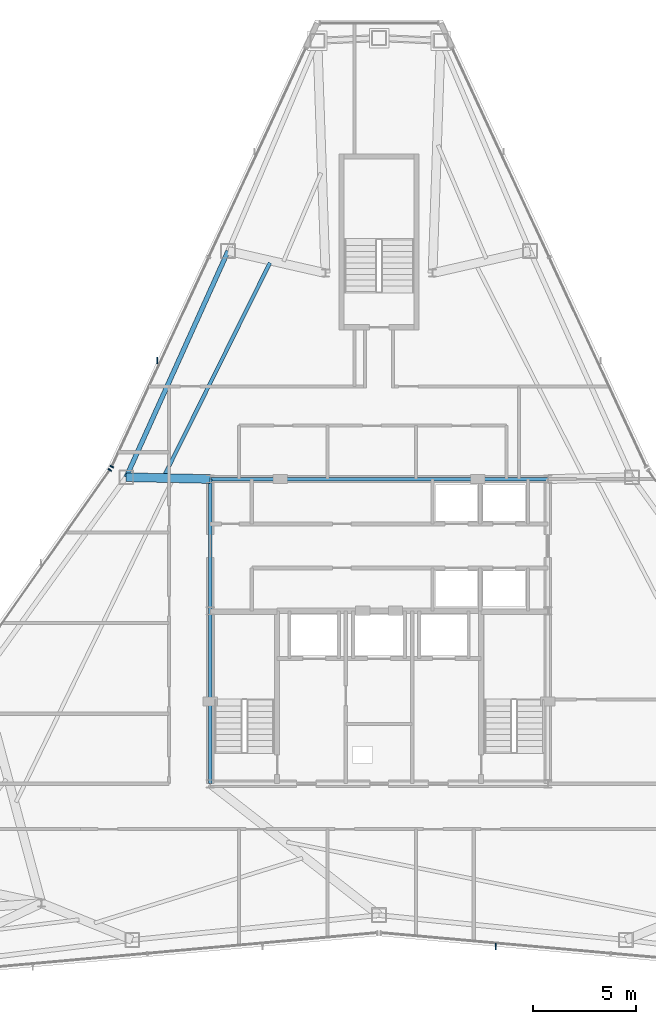
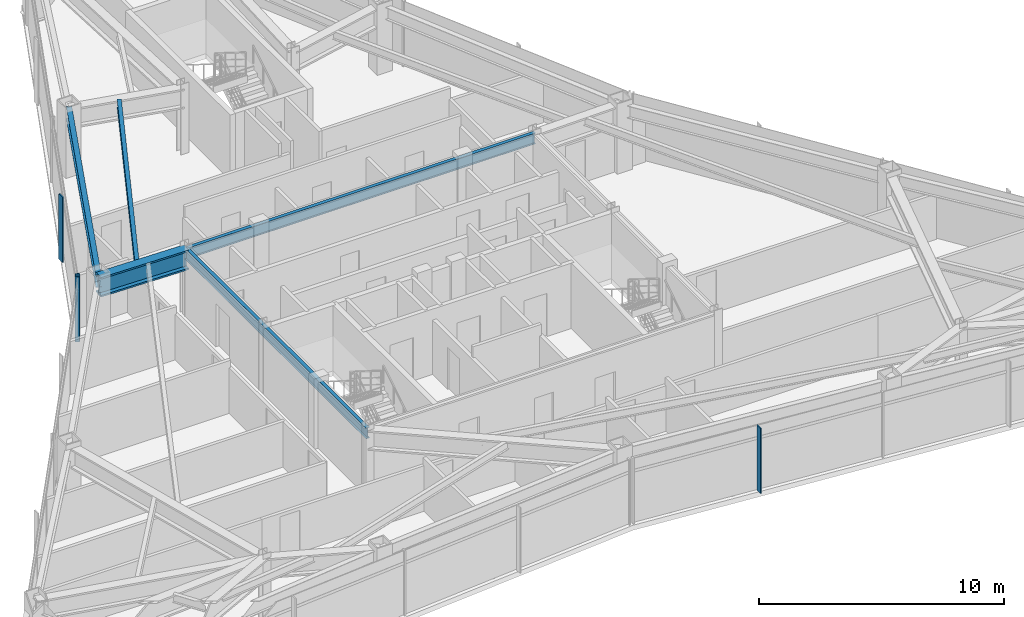
# One storey, part 5 of 12: 5 beams, 4 members, 3 elements without a shape of their own.
"""IFC4 building model written with IfcOpenShell, lengths in metres."""

import ifcopenshell
import ifcopenshell.guid

model = None  # the IFC model being written
_history = None  # IfcOwnerHistory: only IFC2X3 demands one
_inside = {}  # id of a spatial element -> (the spatial element, [elements in it])
_under = {}  # id of a project, library or spatial element -> (it, [spatial elements below it])
_declared = {}  # id of a project -> (the project, [libraries it declares])
_typed = {}  # id of a type object -> (the type object, [elements of that type])
_made_of = {}  # id of a material, layer set ... -> (it, [elements and type objects made of it])


def new_model(schema):
    """Start an empty IFC model of exactly this schema.

    Asked for "IFC4X3", IfcOpenShell would pick the latest addendum, in which some entities
    have other attributes; the version numbers below select the first issue.
    IFC2X3 requires an IfcOwnerHistory on every rooted entity: one is made here for all.
    """
    global model, _history
    if schema == "IFC4X3":
        model = ifcopenshell.file(schema_version=(4, 3, 0, 0))
    else:
        model = ifcopenshell.file(schema=schema)
    _inside.clear()
    _under.clear()
    _declared.clear()
    _typed.clear()
    _made_of.clear()
    _history = None
    if model.schema == "IFC2X3":
        org = make("IfcOrganization", Name="unknown")
        user = make(
            "IfcPersonAndOrganization",
            ThePerson=make("IfcPerson", FamilyName="unknown"),
            TheOrganization=org,
        )
        app = make(
            "IfcApplication",
            ApplicationDeveloper=org,
            Version="unknown",
            ApplicationFullName="unknown",
            ApplicationIdentifier="unknown",
        )
        _history = make(
            "IfcOwnerHistory",
            OwningUser=user,
            OwningApplication=app,
            ChangeAction="ADDED",
            CreationDate=0,
        )
    return model


def make(cls, **values):
    """One entity of the class cls with the attributes given. An attribute that is None is left unset."""
    return model.create_entity(
        cls, **{name: value for name, value in values.items() if value is not None}
    )


def rooted(cls, **values):
    """An entity with a GlobalId (a new one), such as an element, a storey or a relation."""
    return make(cls, GlobalId=ifcopenshell.guid.new(), OwnerHistory=_history, **values)


def si_unit(unit_type, name, prefix=None):
    """IfcSIUnit, for example si_unit("LENGTHUNIT", "METRE", prefix="MILLI")."""
    return make("IfcSIUnit", UnitType=unit_type, Prefix=prefix, Name=name)


def assignment(units):
    """IfcUnitAssignment: the units of a project."""
    return None if units is None else make("IfcUnitAssignment", Units=units)


def point(xyz):
    """IfcCartesianPoint."""
    return None if xyz is None else make("IfcCartesianPoint", Coordinates=xyz)


def direction(xyz):
    """IfcDirection."""
    return None if xyz is None else make("IfcDirection", DirectionRatios=xyz)


def frame(location, z_axis=None, x_axis=None):
    """IfcAxis2Placement3D, a coordinate frame: its origin and axes. An axis left out is left unset."""
    return make(
        "IfcAxis2Placement3D",
        Location=point(location),
        Axis=direction(z_axis),
        RefDirection=direction(x_axis),
    )


def frame_2d(location, x_axis=None):
    """IfcAxis2Placement2D, a coordinate frame in the plane: its origin and x axis."""
    return make(
        "IfcAxis2Placement2D", Location=point(location), RefDirection=direction(x_axis)
    )


def origin():
    """The frame at (0, 0, 0) with its axes left unset."""
    return frame((0.0, 0.0, 0.0))


def origin_2d():
    """The frame at (0, 0) in the plane with its x axis left unset."""
    return frame_2d((0.0, 0.0))


def place(relative_to, where):
    """IfcLocalPlacement: puts the frame where relative to a parent placement (None: the world)."""
    return make(
        "IfcLocalPlacement", PlacementRelTo=relative_to, RelativePlacement=where
    )


def context(
    kind, dimensions, precision=None, world=None, true_north=None, identifier=None
):
    """IfcGeometricRepresentationContext, for example the 3D "Model" context."""
    return make(
        "IfcGeometricRepresentationContext",
        ContextIdentifier=identifier,
        ContextType=kind,
        CoordinateSpaceDimension=dimensions,
        Precision=precision,
        WorldCoordinateSystem=world,
        TrueNorth=true_north,
    )


def subcontext(parent, identifier, kind, view, scale=None):
    """IfcGeometricRepresentationSubContext, for example "Body" below "Model"."""
    return make(
        "IfcGeometricRepresentationSubContext",
        ContextIdentifier=identifier,
        ContextType=kind,
        ParentContext=parent,
        TargetScale=scale,
        TargetView=view,
    )


def project(units=None, contexts=None):
    """IfcProject with its units and contexts."""
    return rooted(
        "IfcProject",
        Name="project",
        RepresentationContexts=contexts,
        UnitsInContext=assignment(units),
    )


def spatial(cls, under=None, at=None, **own):
    """A site, building, storey or space (cls), placed at a placement, below another one or the project."""
    s = rooted(cls, ObjectPlacement=at, **own)
    if under is not None:
        _under.setdefault(under.id(), (under, []))[1].append(s)
    return s


def profile(cls, at=None, kind="AREA", **sizes):
    """A parametric profile (cls). Its sizes go by their IFC names, for example OverallWidth=200.0."""
    return make(cls, ProfileType=kind, Position=at, **sizes)


def rectangle(**sizes):
    """IfcRectangleProfileDef."""
    return profile("IfcRectangleProfileDef", **sizes)


def i_section(**sizes):
    """IfcIShapeProfileDef."""
    return profile("IfcIShapeProfileDef", **sizes)


def extrude(swept, where, along, depth):
    """IfcExtrudedAreaSolid: the profile swept, set in the frame where, extruded along a direction by depth."""
    return make(
        "IfcExtrudedAreaSolid",
        SweptArea=swept,
        Position=where,
        ExtrudedDirection=direction(along),
        Depth=depth,
    )


def shape(context_of_items, identifier, shape_type, items):
    """IfcShapeRepresentation: the items that make up one representation, for example the "Body"."""
    return make(
        "IfcShapeRepresentation",
        ContextOfItems=context_of_items,
        RepresentationIdentifier=identifier,
        RepresentationType=shape_type,
        Items=items,
    )


def source(mapping_origin, context_of_items, identifier, shape_type, items):
    """IfcRepresentationMap: a shape defined once, which mapped items show again and again."""
    return make(
        "IfcRepresentationMap",
        MappingOrigin=mapping_origin,
        MappedRepresentation=shape(context_of_items, identifier, shape_type, items),
    )


def transform(
    local_origin,
    x_axis=None,
    y_axis=None,
    z_axis=None,
    scale=None,
    scale2=None,
    scale3=None,
    uniform=True,
):
    """IfcCartesianTransformationOperator3D, or its non-uniform kind. x_axis, y_axis, z_axis: its Axis1, 2, 3."""
    if uniform:
        return make(
            "IfcCartesianTransformationOperator3D",
            Axis1=direction(x_axis),
            Axis2=direction(y_axis),
            LocalOrigin=point(local_origin),
            Scale=scale,
            Axis3=direction(z_axis),
        )
    return make(
        "IfcCartesianTransformationOperator3DnonUniform",
        Axis1=direction(x_axis),
        Axis2=direction(y_axis),
        LocalOrigin=point(local_origin),
        Scale=scale,
        Axis3=direction(z_axis),
        Scale2=scale2,
        Scale3=scale3,
    )


def mapped(mapping_source, mapping_target):
    """IfcMappedItem: shows the shape of a source again, moved by a transform."""
    return make(
        "IfcMappedItem", MappingSource=mapping_source, MappingTarget=mapping_target
    )


def material(Name=None, Category=None):
    """IfcMaterial."""
    return make("IfcMaterial", Name=Name, Category=Category)


def layer(
    of_material, thickness, ventilated=None, Name=None, Category=None, Priority=None
):
    """IfcMaterialLayer: one layer of a wall or slab, of a material (None: an air gap)."""
    return make(
        "IfcMaterialLayer",
        Material=of_material,
        LayerThickness=thickness,
        IsVentilated=ventilated,
        Name=Name,
        Category=Category,
        Priority=Priority,
    )


def layer_set(layers, Name=None):
    """IfcMaterialLayerSet."""
    return make("IfcMaterialLayerSet", MaterialLayers=layers, LayerSetName=Name)


def material_profile(
    of_material, cross_section, Name=None, Category=None, Priority=None
):
    """IfcMaterialProfile: a cross section and its material."""
    return make(
        "IfcMaterialProfile",
        Name=Name,
        Material=of_material,
        Profile=cross_section,
        Priority=Priority,
        Category=Category,
    )


def profile_set(profiles, Name=None, composite=None):
    """IfcMaterialProfileSet."""
    return make(
        "IfcMaterialProfileSet",
        Name=Name,
        MaterialProfiles=profiles,
        CompositeProfile=composite,
    )


def made_of(thing, what):
    """Note that an element or type object is made of a material, layer set ...; save() writes the relation."""
    if what is not None:
        _made_of.setdefault(what.id(), (what, []))[1].append(thing)
    return thing


def type_object(cls, material=None, **own):
    """A type object (cls), such as IfcWallType, which elements share."""
    return made_of(rooted(cls, **own), material)


def type_shapes(of_type, sources):
    """Give a type object the sources (RepresentationMaps) that its elements show as mapped items."""
    of_type.RepresentationMaps = sources


def element(
    cls,
    number,
    at=None,
    inside=None,
    cuts=None,
    type_object=None,
    material=None,
    context=None,
    identifier="Body",
    shape_type=None,
    held_by="IfcProductDefinitionShape",
    body=None,
    shapes=None,
    **own,
):
    """One element of the class cls, such as IfcWall. Its Tag is "e" and its number.

    at: its placement. inside: the storey or other place that contains it. cuts: it is an
    opening in that element (IfcRelVoidsElement). A single representation is given by context,
    identifier, shape_type and body (its items); several are given by shapes. held_by: the class
    of the entity that holds the representations. save() writes the other relations.
    """
    e = rooted(cls, Tag="e%d" % number, ObjectPlacement=at, **own)
    if body is not None:
        shapes = [shape(context, identifier, shape_type, body)]
    if shapes is not None:
        e.Representation = make(held_by, Representations=shapes)
    if inside is not None:
        _inside.setdefault(inside.id(), (inside, []))[1].append(e)
    if cuts is not None:
        rooted(
            "IfcRelVoidsElement", RelatingBuildingElement=cuts, RelatedOpeningElement=e
        )
    if type_object is not None:
        _typed.setdefault(type_object.id(), (type_object, []))[1].append(e)
    return made_of(e, material)


def aggregate(whole, parts):
    """IfcRelAggregates: a whole, such as a stair, and the parts it consists of."""
    return rooted("IfcRelAggregates", RelatingObject=whole, RelatedObjects=parts)


def save(model, path):
    """Write the relations noted so far, then the file.

    IfcRelAggregates (storeys below a building ...), IfcRelContainedInSpatialStructure (elements
    in a storey), IfcRelDefinesByType, IfcRelAssociatesMaterial and IfcRelDeclares: one each for
    every whole, place, type object, material and project.
    """
    for whole, parts in _under.values():
        aggregate(whole, parts)
    for where, things in _inside.values():
        rooted(
            "IfcRelContainedInSpatialStructure",
            RelatedElements=things,
            RelatingStructure=where,
        )
    for kind, things in _typed.values():
        rooted("IfcRelDefinesByType", RelatedObjects=things, RelatingType=kind)
    for what, things in _made_of.values():
        rooted("IfcRelAssociatesMaterial", RelatedObjects=things, RelatingMaterial=what)
    for by, libraries in _declared.values():
        rooted("IfcRelDeclares", RelatingContext=by, RelatedDefinitions=libraries)
    model.write(path)


model = new_model("IFC4")

# Units and contexts
model_context = context("Model", 3, precision=1e-05, world=origin(), true_north=direction((0.0, 1.0)))
body_context = subcontext(model_context, "Body", "Model", "MODEL_VIEW")
ifc_project = project(units=[si_unit("LENGTHUNIT", "METRE"), si_unit("AREAUNIT", "SQUARE_METRE"), si_unit("VOLUMEUNIT", "CUBIC_METRE"), si_unit("PLANEANGLEUNIT", "RADIAN"), si_unit("MASSUNIT", "GRAM", prefix="KILO")], contexts=[model_context])

# Site, building, storey
site_placement = place(None, origin())
site = spatial("IfcSite", under=ifc_project, at=site_placement, CompositionType="ELEMENT")
building_placement = place(site_placement, origin())
building = spatial("IfcBuilding", under=site, at=building_placement, Name="Varakhsha Concourse Tower", CompositionType="ELEMENT")
storey_placement = place(building_placement, frame((0.0, 0.0, 239.89990234375)))
storey = spatial("IfcBuildingStorey", under=building, at=storey_placement, Name="L68", CompositionType="ELEMENT", Elevation=239.89990234375)

# Beams
ifc_material_1 = material(Name="Structural Steel ASTM A992 Grade 50", Category="steel")
ifc_material_profile_1 = material_profile(ifc_material_1, i_section(OverallWidth=0.177978515625, OverallDepth=0.406982421875, WebThickness=0.008056640625, FlangeThickness=0.012939453125, at=origin_2d()), Name="W16X40")
ifc_profile_set_1 = profile_set([ifc_material_profile_1], Name="Structural Steel ASTM A992 Grade 50")
beam_type_1 = type_object("IfcBeamType", Name="BM-JST-W16X40", PredefinedType="JOIST", material=ifc_profile_set_1)
beam_1_placement = place(storey_placement, frame((34.70166015625, 41.70458984375, 3.046630859375), z_axis=(-0.444542112337, -0.895757952998, 0.0), x_axis=(0.895757952998, -0.444542112337, 0.0)))
element("IfcBeam", 1, at=beam_1_placement, inside=storey, type_object=beam_type_1, Name="BM-TJST-L68-04", PredefinedType="JOIST", context=body_context, shape_type="SweptSolid", body=[
    extrude(i_section(OverallWidth=0.177978515625, OverallDepth=0.406982421875, WebThickness=0.008056640625, FlangeThickness=0.012939453125, at=origin_2d()), origin(), (0.0, 0.0, 1.0), 11.56005859375),
])
ifc_material_profile_2 = material_profile(ifc_material_1, i_section(OverallWidth=0.1669921875, OverallDepth=0.534912109375, WebThickness=0.010009765625, FlangeThickness=0.01708984375, at=origin_2d()), Name="W21X57")
ifc_profile_set_2 = profile_set([ifc_material_profile_2], Name="Structural Steel ASTM A992 Grade 50")
beam_type_2 = type_object("IfcBeamType", Name="BM-RAD-W21X57", PredefinedType="BEAM", material=ifc_profile_set_2)
beam_2_placement = place(storey_placement, frame((31.800048828125, 31.199951171875, 2.982666015625), z_axis=(1.0, 0.0, 0.0), x_axis=(0.0, 1.0, 0.0)))
element("IfcBeam", 2, at=beam_2_placement, inside=storey, type_object=beam_type_2, Name="BM-TCORE-L68-CN", PredefinedType="BEAM", context=body_context, shape_type="SweptSolid", body=[
    extrude(i_section(OverallWidth=0.1669921875, OverallDepth=0.534912109375, WebThickness=0.010009765625, FlangeThickness=0.01708984375, at=origin_2d()), origin(), (0.0, 0.0, 1.0), 16.39990234375),
])
beam_3_placement = place(storey_placement, frame((31.800048828125, 16.39990234375, 2.982666015625), z_axis=(0.0, 1.0, 0.0), x_axis=(-1.0, 0.0, 0.0)))
element("IfcBeam", 3, at=beam_3_placement, inside=storey, type_object=beam_type_2, Name="BM-TCORE-L68-CW", PredefinedType="BEAM", context=body_context, shape_type="SweptSolid", body=[
    extrude(i_section(OverallWidth=0.1669921875, OverallDepth=0.534912109375, WebThickness=0.010009765625, FlangeThickness=0.01708984375, at=origin_2d()), origin(), (0.0, 0.0, 1.0), 14.800048828125),
])
ifc_material_profile_3 = material_profile(ifc_material_1, i_section(OverallWidth=0.22900390625, OverallDepth=0.612060546875, WebThickness=0.011962890625, FlangeThickness=0.02001953125, at=origin_2d()), Name="W24X84")
ifc_profile_set_3 = profile_set([ifc_material_profile_3], Name="Structural Steel ASTM A992 Grade 50")
beam_type_3 = type_object("IfcBeamType", Name="BM-SPAN-W24X84", PredefinedType="SPANDREL", material=ifc_profile_set_3)
beam_4_placement = place(storey_placement, frame((32.6689453125, 42.277099609375, 2.944091796875), z_axis=(-0.410885236605, -0.911687074791, 0.0), x_axis=(0.911687074791, -0.410885236605, 0.0)))
element("IfcBeam", 4, at=beam_4_placement, inside=storey, type_object=beam_type_3, Name="BM-SPAN-L68-04", PredefinedType="SPANDREL", context=body_context, shape_type="SweptSolid", body=[
    extrude(i_section(OverallWidth=0.22900390625, OverallDepth=0.612060546875, WebThickness=0.011962890625, FlangeThickness=0.02001953125, at=origin_2d()), origin(), (0.0, 0.0, 1.0), 12.050048828125),
])
ifc_material_profile_4 = material_profile(ifc_material_1, i_section(OverallWidth=0.427978515625, OverallDepth=0.97509765625, WebThickness=0.050048828125, FlangeThickness=0.0810546875, at=origin_2d()), Name="W36X395")
ifc_profile_set_4 = profile_set([ifc_material_profile_4], Name="Structural Steel ASTM A992 Grade 50")
beam_type_4 = type_object("IfcBeamType", Name="BM-XFER-W36X395", PredefinedType="USERDEFINED", material=ifc_profile_set_4)
beam_5_placement = place(storey_placement, frame((31.800048828125, 31.199951171875, 2.7626953125), z_axis=(-0.99974995061, 0.022361490433, 0.0), x_axis=(-0.022361490433, -0.99974995061, 0.0)))
element("IfcBeam", 5, at=beam_5_placement, inside=storey, type_object=beam_type_4, Name="L68 Radial Floor Girder 05", ObjectType="GIRDER", PredefinedType="USERDEFINED", context=body_context, shape_type="SweptSolid", body=[
    extrude(i_section(OverallWidth=0.427978515625, OverallDepth=0.97509765625, WebThickness=0.050048828125, FlangeThickness=0.0810546875, at=origin_2d()), origin(), (0.0, 0.0, 1.0), 4.083251953125),
])

# Curtain wall, member
ifc_material_2 = material(Name="Anodised Bronze Architectural Aluminium AA 6063-T6", Category="aluminium")
ifc_layer = layer(ifc_material_2, 0.199951171875, Name="CW-SYS-05")
ifc_layer_set = layer_set([ifc_layer], Name="Anodised Bronze Architectural Aluminium AA 6063-T6")
curtain_wall_type = type_object("IfcCurtainWallType", Name="CW-SYS-05", PredefinedType="NOTDEFINED", material=ifc_layer_set)
curtain_wall_1_placement = place(storey_placement, origin())
curtain_wall_1 = element("IfcCurtainWall", 6, at=curtain_wall_1_placement, inside=storey, type_object=curtain_wall_type, Name="L68 Crystal Curtain Wall F2", PredefinedType="NOTDEFINED")
ifc_material_profile_5 = material_profile(ifc_material_2, rectangle(XDim=0.06494140625, YDim=0.179931640625, at=origin_2d()), Name="CWM-180X65")
ifc_profile_set_5 = profile_set([ifc_material_profile_5], Name="Anodised Bronze Architectural Aluminium AA 6063-T6")
member_type_1 = type_object("IfcMemberType", Name="CWM-180X65", PredefinedType="MULLION", material=ifc_profile_set_5)
shared_shape_1 = source(origin(), body_context, "Body", "SweptSolid", [
    extrude(rectangle(XDim=0.06494140625, YDim=0.179931640625, at=origin_2d()), origin(), (0.0, 0.0, 1.0), 3.25),
])
type_shapes(member_type_1, [shared_shape_1])
member_1_placement = place(storey_placement, frame((27.02001953125, 31.802490234375, 0.0), z_axis=(0.0, 0.0, 1.0), x_axis=(0.420546577212, 0.907270949824, 0.0)))
member_1 = element("IfcMember", 7, at=member_1_placement, type_object=member_type_1, Name="CW-L68-F2 Mullion 00", PredefinedType="MULLION", context=body_context, shape_type="MappedRepresentation", body=[
    mapped(shared_shape_1, transform((0.0, 0.0, 0.0), scale=1.0)),
])

curtain_wall_2_placement = place(storey_placement, origin())
curtain_wall_2 = element("IfcCurtainWall", 8, at=curtain_wall_2_placement, inside=storey, type_object=curtain_wall_type, Name="L68 Crystal Curtain Wall F3", PredefinedType="NOTDEFINED")
member_2_placement = place(storey_placement, frame((26.926025390625, 31.6396484375, 0.0), z_axis=(0.0, 0.0, 1.0), x_axis=(0.575443547255, 0.817841502935, 0.0)))
member_2 = element("IfcMember", 9, at=member_2_placement, type_object=member_type_1, Name="CW-L68-F3 Mullion 02", PredefinedType="MULLION", context=body_context, shape_type="MappedRepresentation", body=[
    mapped(shared_shape_1, transform((0.0, 0.0, 0.0), scale=1.0)),
])
aggregate(curtain_wall_2, [member_2])

# Member
ifc_material_profile_6 = material_profile(ifc_material_2, rectangle(XDim=0.054931640625, YDim=0.300048828125, at=origin_2d()), Name="FIN-BRZ-300")
ifc_profile_set_6 = profile_set([ifc_material_profile_6], Name="Anodised Bronze Architectural Aluminium AA 6063-T6")
member_type_2 = type_object("IfcMemberType", Name="FIN-BRZ-300", PredefinedType="USERDEFINED", material=ifc_profile_set_6)
shared_shape_2 = source(origin(), body_context, "Body", "SweptSolid", [
    extrude(rectangle(XDim=0.054931640625, YDim=0.300048828125, at=origin_2d()), origin(), (0.0, 0.0, 1.0), 3.25),
])
type_shapes(member_type_2, [shared_shape_2])
member_3_placement = place(storey_placement, frame((29.227294921875, 36.956787109375, 0.0), z_axis=(0.0, 0.0, 1.0), x_axis=(1.0, 0.0, 0.0)))
member_3 = element("IfcMember", 10, at=member_3_placement, type_object=member_type_2, Name="L68 Anodised Bronze Solar Fin F2-1", ObjectType="SOLAR FIN", PredefinedType="USERDEFINED", context=body_context, shape_type="MappedRepresentation", body=[
    mapped(shared_shape_2, transform((0.0, 0.0, 0.0), scale=1.0)),
])

aggregate(curtain_wall_1, [member_1, member_3])

# Curtain wall, member
curtain_wall_3_placement = place(storey_placement, origin())
curtain_wall_3 = element("IfcCurtainWall", 11, at=curtain_wall_3_placement, inside=storey, type_object=curtain_wall_type, Name="L68 Crystal Curtain Wall F6", PredefinedType="NOTDEFINED")
member_4_placement = place(storey_placement, frame((45.661376953125, 8.4921875, 0.0), z_axis=(0.0, 0.0, 1.0), x_axis=(1.0, 0.0, 0.0)))
member_4 = element("IfcMember", 12, at=member_4_placement, type_object=member_type_2, Name="L68 Anodised Bronze Solar Fin F6-2", ObjectType="SOLAR FIN", PredefinedType="USERDEFINED", context=body_context, shape_type="MappedRepresentation", body=[
    mapped(shared_shape_2, transform((0.0, 0.0, 0.0), scale=1.0)),
])
aggregate(curtain_wall_3, [member_4])

save(model, "model.ifc")
